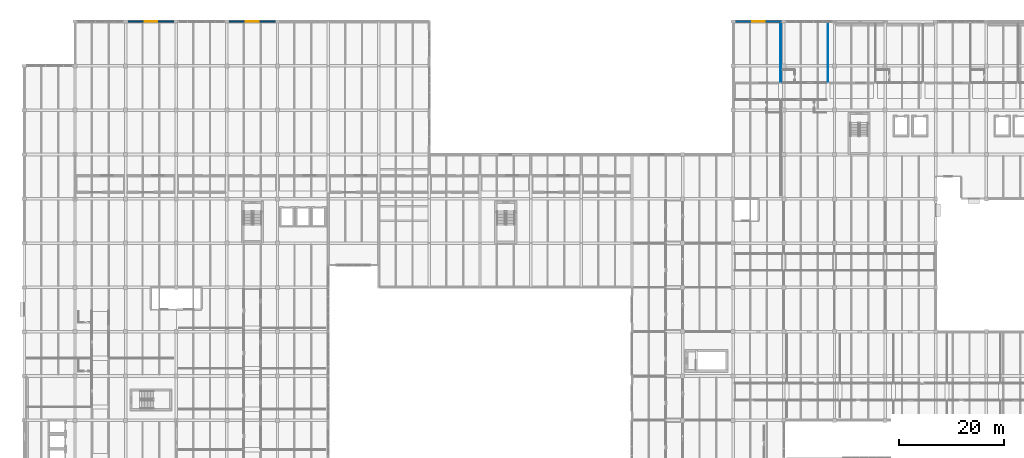
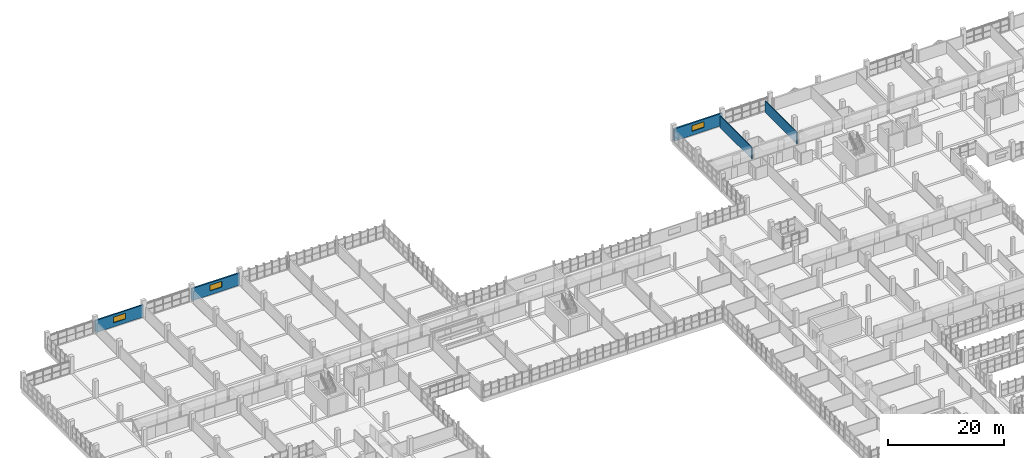
# One storey, part 132 of 147: 5 walls, 3 windows, 3 openings.
"""IFC4 building model written with IfcOpenShell, lengths in metres."""

import ifcopenshell
import ifcopenshell.guid

model = None  # the IFC model being written
_history = None  # IfcOwnerHistory: only IFC2X3 demands one
_inside = {}  # id of a spatial element -> (the spatial element, [elements in it])
_under = {}  # id of a project, library or spatial element -> (it, [spatial elements below it])
_declared = {}  # id of a project -> (the project, [libraries it declares])
_typed = {}  # id of a type object -> (the type object, [elements of that type])
_made_of = {}  # id of a material, layer set ... -> (it, [elements and type objects made of it])


def new_model(schema):
    """Start an empty IFC model of exactly this schema.

    Asked for "IFC4X3", IfcOpenShell would pick the latest addendum, in which some entities
    have other attributes; the version numbers below select the first issue.
    IFC2X3 requires an IfcOwnerHistory on every rooted entity: one is made here for all.
    """
    global model, _history
    if schema == "IFC4X3":
        model = ifcopenshell.file(schema_version=(4, 3, 0, 0))
    else:
        model = ifcopenshell.file(schema=schema)
    _inside.clear()
    _under.clear()
    _declared.clear()
    _typed.clear()
    _made_of.clear()
    _history = None
    if model.schema == "IFC2X3":
        org = make("IfcOrganization", Name="unknown")
        user = make(
            "IfcPersonAndOrganization",
            ThePerson=make("IfcPerson", FamilyName="unknown"),
            TheOrganization=org,
        )
        app = make(
            "IfcApplication",
            ApplicationDeveloper=org,
            Version="unknown",
            ApplicationFullName="unknown",
            ApplicationIdentifier="unknown",
        )
        _history = make(
            "IfcOwnerHistory",
            OwningUser=user,
            OwningApplication=app,
            ChangeAction="ADDED",
            CreationDate=0,
        )
    return model


def make(cls, **values):
    """One entity of the class cls with the attributes given. An attribute that is None is left unset."""
    return model.create_entity(
        cls, **{name: value for name, value in values.items() if value is not None}
    )


def rooted(cls, **values):
    """An entity with a GlobalId (a new one), such as an element, a storey or a relation."""
    return make(cls, GlobalId=ifcopenshell.guid.new(), OwnerHistory=_history, **values)


def si_unit(unit_type, name, prefix=None):
    """IfcSIUnit, for example si_unit("LENGTHUNIT", "METRE", prefix="MILLI")."""
    return make("IfcSIUnit", UnitType=unit_type, Prefix=prefix, Name=name)


def assignment(units):
    """IfcUnitAssignment: the units of a project."""
    return None if units is None else make("IfcUnitAssignment", Units=units)


def point(xyz):
    """IfcCartesianPoint."""
    return None if xyz is None else make("IfcCartesianPoint", Coordinates=xyz)


def direction(xyz):
    """IfcDirection."""
    return None if xyz is None else make("IfcDirection", DirectionRatios=xyz)


def frame(location, z_axis=None, x_axis=None):
    """IfcAxis2Placement3D, a coordinate frame: its origin and axes. An axis left out is left unset."""
    return make(
        "IfcAxis2Placement3D",
        Location=point(location),
        Axis=direction(z_axis),
        RefDirection=direction(x_axis),
    )


def frame_2d(location, x_axis=None):
    """IfcAxis2Placement2D, a coordinate frame in the plane: its origin and x axis."""
    return make(
        "IfcAxis2Placement2D", Location=point(location), RefDirection=direction(x_axis)
    )


def origin():
    """The frame at (0, 0, 0) with its axes left unset."""
    return frame((0.0, 0.0, 0.0))


def place(relative_to, where):
    """IfcLocalPlacement: puts the frame where relative to a parent placement (None: the world)."""
    return make(
        "IfcLocalPlacement", PlacementRelTo=relative_to, RelativePlacement=where
    )


def context(
    kind, dimensions, precision=None, world=None, true_north=None, identifier=None
):
    """IfcGeometricRepresentationContext, for example the 3D "Model" context."""
    return make(
        "IfcGeometricRepresentationContext",
        ContextIdentifier=identifier,
        ContextType=kind,
        CoordinateSpaceDimension=dimensions,
        Precision=precision,
        WorldCoordinateSystem=world,
        TrueNorth=true_north,
    )


def subcontext(parent, identifier, kind, view, scale=None):
    """IfcGeometricRepresentationSubContext, for example "Body" below "Model"."""
    return make(
        "IfcGeometricRepresentationSubContext",
        ContextIdentifier=identifier,
        ContextType=kind,
        ParentContext=parent,
        TargetScale=scale,
        TargetView=view,
    )


def project(units=None, contexts=None):
    """IfcProject with its units and contexts."""
    return rooted(
        "IfcProject",
        Name="project",
        RepresentationContexts=contexts,
        UnitsInContext=assignment(units),
    )


def spatial(cls, under=None, at=None, **own):
    """A site, building, storey or space (cls), placed at a placement, below another one or the project."""
    s = rooted(cls, ObjectPlacement=at, **own)
    if under is not None:
        _under.setdefault(under.id(), (under, []))[1].append(s)
    return s


def profile(cls, at=None, kind="AREA", **sizes):
    """A parametric profile (cls). Its sizes go by their IFC names, for example OverallWidth=200.0."""
    return make(cls, ProfileType=kind, Position=at, **sizes)


def rectangle(**sizes):
    """IfcRectangleProfileDef."""
    return profile("IfcRectangleProfileDef", **sizes)


def extrude(swept, where, along, depth):
    """IfcExtrudedAreaSolid: the profile swept, set in the frame where, extruded along a direction by depth."""
    return make(
        "IfcExtrudedAreaSolid",
        SweptArea=swept,
        Position=where,
        ExtrudedDirection=direction(along),
        Depth=depth,
    )


def shape(context_of_items, identifier, shape_type, items):
    """IfcShapeRepresentation: the items that make up one representation, for example the "Body"."""
    return make(
        "IfcShapeRepresentation",
        ContextOfItems=context_of_items,
        RepresentationIdentifier=identifier,
        RepresentationType=shape_type,
        Items=items,
    )


def material(Name=None, Category=None):
    """IfcMaterial."""
    return make("IfcMaterial", Name=Name, Category=Category)


def layer(
    of_material, thickness, ventilated=None, Name=None, Category=None, Priority=None
):
    """IfcMaterialLayer: one layer of a wall or slab, of a material (None: an air gap)."""
    return make(
        "IfcMaterialLayer",
        Material=of_material,
        LayerThickness=thickness,
        IsVentilated=ventilated,
        Name=Name,
        Category=Category,
        Priority=Priority,
    )


def layer_set(layers, Name=None):
    """IfcMaterialLayerSet."""
    return make("IfcMaterialLayerSet", MaterialLayers=layers, LayerSetName=Name)


def made_of(thing, what):
    """Note that an element or type object is made of a material, layer set ...; save() writes the relation."""
    if what is not None:
        _made_of.setdefault(what.id(), (what, []))[1].append(thing)
    return thing


def type_object(cls, material=None, **own):
    """A type object (cls), such as IfcWallType, which elements share."""
    return made_of(rooted(cls, **own), material)


def element(
    cls,
    number,
    at=None,
    inside=None,
    cuts=None,
    type_object=None,
    material=None,
    context=None,
    identifier="Body",
    shape_type=None,
    held_by="IfcProductDefinitionShape",
    body=None,
    shapes=None,
    **own,
):
    """One element of the class cls, such as IfcWall. Its Tag is "e" and its number.

    at: its placement. inside: the storey or other place that contains it. cuts: it is an
    opening in that element (IfcRelVoidsElement). A single representation is given by context,
    identifier, shape_type and body (its items); several are given by shapes. held_by: the class
    of the entity that holds the representations. save() writes the other relations.
    """
    e = rooted(cls, Tag="e%d" % number, ObjectPlacement=at, **own)
    if body is not None:
        shapes = [shape(context, identifier, shape_type, body)]
    if shapes is not None:
        e.Representation = make(held_by, Representations=shapes)
    if inside is not None:
        _inside.setdefault(inside.id(), (inside, []))[1].append(e)
    if cuts is not None:
        rooted(
            "IfcRelVoidsElement", RelatingBuildingElement=cuts, RelatedOpeningElement=e
        )
    if type_object is not None:
        _typed.setdefault(type_object.id(), (type_object, []))[1].append(e)
    return made_of(e, material)


def fill(opening, filler):
    """IfcRelFillsElement: the door or window that sits in an opening."""
    return rooted(
        "IfcRelFillsElement",
        RelatingOpeningElement=opening,
        RelatedBuildingElement=filler,
    )


def aggregate(whole, parts):
    """IfcRelAggregates: a whole, such as a stair, and the parts it consists of."""
    return rooted("IfcRelAggregates", RelatingObject=whole, RelatedObjects=parts)


def save(model, path):
    """Write the relations noted so far, then the file.

    IfcRelAggregates (storeys below a building ...), IfcRelContainedInSpatialStructure (elements
    in a storey), IfcRelDefinesByType, IfcRelAssociatesMaterial and IfcRelDeclares: one each for
    every whole, place, type object, material and project.
    """
    for whole, parts in _under.values():
        aggregate(whole, parts)
    for where, things in _inside.values():
        rooted(
            "IfcRelContainedInSpatialStructure",
            RelatedElements=things,
            RelatingStructure=where,
        )
    for kind, things in _typed.values():
        rooted("IfcRelDefinesByType", RelatedObjects=things, RelatingType=kind)
    for what, things in _made_of.values():
        rooted("IfcRelAssociatesMaterial", RelatedObjects=things, RelatingMaterial=what)
    for by, libraries in _declared.values():
        rooted("IfcRelDeclares", RelatingContext=by, RelatedDefinitions=libraries)
    model.write(path)


model = new_model("IFC4")

# Units and contexts
model_context = context("Model", 3, precision=1e-05, world=origin(), true_north=direction((0.0, 1.0)))
body_context = subcontext(model_context, "Body", "Model", "MODEL_VIEW")
ifc_project = project(units=[si_unit("LENGTHUNIT", "METRE"), si_unit("AREAUNIT", "SQUARE_METRE"), si_unit("VOLUMEUNIT", "CUBIC_METRE"), si_unit("PLANEANGLEUNIT", "RADIAN"), si_unit("MASSUNIT", "GRAM", prefix="KILO")], contexts=[model_context])

# Site, building, storey
site_placement = place(None, origin())
site = spatial("IfcSite", under=ifc_project, at=site_placement, CompositionType="ELEMENT")
building_placement = place(site_placement, origin())
building = spatial("IfcBuilding", under=site, at=building_placement, Name="Oolite Switchyard Hospital", CompositionType="ELEMENT")
storey_placement = place(building_placement, frame((0.0, 0.0, 9.89990234375)))
storey = spatial("IfcBuildingStorey", under=building, at=storey_placement, Name="L02", CompositionType="ELEMENT", Elevation=9.89990234375)

# Wall, opening, window
ifc_material_1 = material(Name="Precast oolitic limestone architectural concrete C40/50", Category="masonry")
ifc_layer_1 = layer(ifc_material_1, 0.280029296875)
ifc_layer_set_1 = layer_set([ifc_layer_1], Name="WAL-EXT-280")
wall_type_1 = type_object("IfcWallType", Name="WAL-EXT-280", PredefinedType="SOLIDWALL", material=ifc_layer_set_1)
wall_1_placement = place(storey_placement, frame((19.199951171875, 134.39990234375, 0.0), z_axis=(0.0, 0.0, 1.0), x_axis=(1.0, 0.0, 0.0)))
wall_1 = element("IfcWall", 1, at=wall_1_placement, inside=storey, type_object=wall_type_1, Name="L02 Exterior Spandrel Wall 139", PredefinedType="SOLIDWALL", context=body_context, shape_type="SweptSolid", body=[
    extrude(rectangle(XDim=9.60009765625, YDim=0.280029296875, at=frame_2d((4.800048828125, 0.0))), origin(), (0.0, 0.0, 1.0), 2.570068359375),
])
opening_1_placement = place(wall_1_placement, frame((3.60009765625, 0.0, 0.85009765625)))
opening_1 = element("IfcOpeningElement", 2, at=opening_1_placement, cuts=wall_1, Name="Opening WN-0056", PredefinedType="OPENING", context=body_context, shape_type="SweptSolid", body=[
    extrude(rectangle(XDim=2.39990234375, YDim=1.199951171875, at=frame_2d((1.199951171875, 0.60009765625))), frame((0.0, 0.14990234375, 0.0), z_axis=(0.0, -1.0, 0.0), x_axis=(1.0, 0.0, 0.0)), (0.0, 0.0, 1.0), 0.300048828125),
])
ifc_material_2 = material(Name="Thermally broken aluminum frame with laminated impact glazing", Category="aluminium")
window_type = type_object("IfcWindowType", Name="WIN-IMP-240X120", PartitioningType="SINGLE_PANEL", PredefinedType="WINDOW", material=ifc_material_2)
window_1_placement = place(opening_1_placement, origin())
window_1 = element("IfcWindow", 3, at=window_1_placement, inside=storey, type_object=window_type, Name="L02 Hurricane Impact Window WN-0056", OverallHeight=1.199951171875, OverallWidth=2.39990234375, PartitioningType="SINGLE_PANEL", PredefinedType="WINDOW", context=body_context, shape_type="SweptSolid", body=[
    extrude(rectangle(XDim=2.39990234375, YDim=1.199951171875, at=frame_2d((1.199951171875, 0.60009765625))), frame((0.0, 0.030029296875, 0.0), z_axis=(0.0, -1.0, 0.0), x_axis=(1.0, 0.0, 0.0)), (0.0, 0.0, 1.0), 0.06005859375),
])
fill(opening_1, window_1)

ifc_layer_2 = layer(ifc_material_1, 0.300048828125)
ifc_layer_set_2 = layer_set([ifc_layer_2], Name="WAL-EXT-300")
wall_type_2 = type_object("IfcWallType", Name="WAL-EXT-300", PredefinedType="SOLIDWALL", material=ifc_layer_set_2)
wall_2_placement = place(storey_placement, frame((38.39990234375, 134.39990234375, 0.0), z_axis=(0.0, 0.0, 1.0), x_axis=(1.0, 0.0, 0.0)))
wall_2 = element("IfcWall", 4, at=wall_2_placement, inside=storey, type_object=wall_type_2, Name="L02 Exterior Spandrel Wall 140", PredefinedType="SOLIDWALL", context=body_context, shape_type="SweptSolid", body=[
    extrude(rectangle(XDim=9.60009765625, YDim=0.300048828125, at=frame_2d((4.800048828125, 0.0))), origin(), (0.0, 0.0, 1.0), 2.570068359375),
])
opening_2_placement = place(wall_2_placement, frame((3.60009765625, 0.0, 0.85009765625)))
opening_2 = element("IfcOpeningElement", 5, at=opening_2_placement, cuts=wall_2, Name="Opening WN-0057", PredefinedType="OPENING", context=body_context, shape_type="SweptSolid", body=[
    extrude(rectangle(XDim=2.39990234375, YDim=1.199951171875, at=frame_2d((1.199951171875, 0.60009765625))), frame((0.0, 0.16015625, 0.0), z_axis=(0.0, -1.0, 0.0), x_axis=(1.0, 0.0, 0.0)), (0.0, 0.0, 1.0), 0.320068359375),
])
window_2_placement = place(opening_2_placement, origin())
window_2 = element("IfcWindow", 6, at=window_2_placement, inside=storey, type_object=window_type, Name="L02 Hurricane Impact Window WN-0057", OverallHeight=1.199951171875, OverallWidth=2.39990234375, PartitioningType="SINGLE_PANEL", PredefinedType="WINDOW", context=body_context, shape_type="SweptSolid", body=[
    extrude(rectangle(XDim=2.39990234375, YDim=1.199951171875, at=frame_2d((1.199951171875, 0.60009765625))), frame((0.0, 0.030029296875, 0.0), z_axis=(0.0, -1.0, 0.0), x_axis=(1.0, 0.0, 0.0)), (0.0, 0.0, 1.0), 0.06005859375),
])
fill(opening_2, window_2)

ifc_layer_3 = layer(ifc_material_1, 0.320068359375)
ifc_layer_set_3 = layer_set([ifc_layer_3], Name="WAL-EXT-320")
wall_type_3 = type_object("IfcWallType", Name="WAL-EXT-320", PredefinedType="SOLIDWALL", material=ifc_layer_set_3)
wall_3_placement = place(storey_placement, frame((134.39990234375, 134.39990234375, 0.0), z_axis=(0.0, 0.0, 1.0), x_axis=(1.0, 0.0, 0.0)))
wall_3 = element("IfcWall", 7, at=wall_3_placement, inside=storey, type_object=wall_type_3, Name="L02 Exterior Spandrel Wall 141", PredefinedType="SOLIDWALL", context=body_context, shape_type="SweptSolid", body=[
    extrude(rectangle(XDim=9.60009765625, YDim=0.320068359375, at=frame_2d((4.800048828125, 0.0))), origin(), (0.0, 0.0, 1.0), 2.570068359375),
])
opening_3_placement = place(wall_3_placement, frame((3.60009765625, 0.0, 0.85009765625)))
opening_3 = element("IfcOpeningElement", 8, at=opening_3_placement, cuts=wall_3, Name="Opening WN-0058", PredefinedType="OPENING", context=body_context, shape_type="SweptSolid", body=[
    extrude(rectangle(XDim=2.39990234375, YDim=1.199951171875, at=frame_2d((1.199951171875, 0.60009765625))), frame((0.0, 0.169921875, 0.0), z_axis=(0.0, -1.0, 0.0), x_axis=(1.0, 0.0, 0.0)), (0.0, 0.0, 1.0), 0.340087890625),
])
window_3_placement = place(opening_3_placement, origin())
window_3 = element("IfcWindow", 9, at=window_3_placement, inside=storey, type_object=window_type, Name="L02 Hurricane Impact Window WN-0058", OverallHeight=1.199951171875, OverallWidth=2.39990234375, PartitioningType="SINGLE_PANEL", PredefinedType="WINDOW", context=body_context, shape_type="SweptSolid", body=[
    extrude(rectangle(XDim=2.39990234375, YDim=1.199951171875, at=frame_2d((1.199951171875, 0.60009765625))), frame((0.0, 0.030029296875, 0.0), z_axis=(0.0, -1.0, 0.0), x_axis=(1.0, 0.0, 0.0)), (0.0, 0.0, 1.0), 0.06005859375),
])
fill(opening_3, window_3)

# Walls
ifc_material_3 = material(Name="Moisture-resistant gypsum board on steel studs", Category="steel")
ifc_layer_4 = layer(ifc_material_3, 0.135009765625)
ifc_layer_set_4 = layer_set([ifc_layer_4], Name="WAL-PART-135")
wall_type_4 = type_object("IfcWallType", Name="WAL-PART-135", PredefinedType="PARTITIONING", material=ifc_layer_set_4)
for number, where, z_axis, x_axis, name in (
    (10, (143.39990234375, 122.949951171875, 0.0), (0.0, 0.0, 1.0), (0.0, 1.0, 0.0), "L02 Interior Partition 531"),
    (11, (152.39990234375, 122.949951171875, 0.0), (0.0, 0.0, 1.0), (0.0, 1.0, 0.0), "L02 Interior Partition 533"),
):
    element("IfcWall", number, at=place(storey_placement, frame(where, z_axis=z_axis, x_axis=x_axis)), inside=storey, type_object=wall_type_4, Name=name, PredefinedType="PARTITIONING", context=body_context, shape_type="SweptSolid", body=[
        extrude(rectangle(XDim=10.900146484375, YDim=0.135009765625, at=frame_2d((5.4501953125, 0.0))), origin(), (0.0, 0.0, 1.0), 2.47998046875),
    ])

save(model, "model.ifc")
